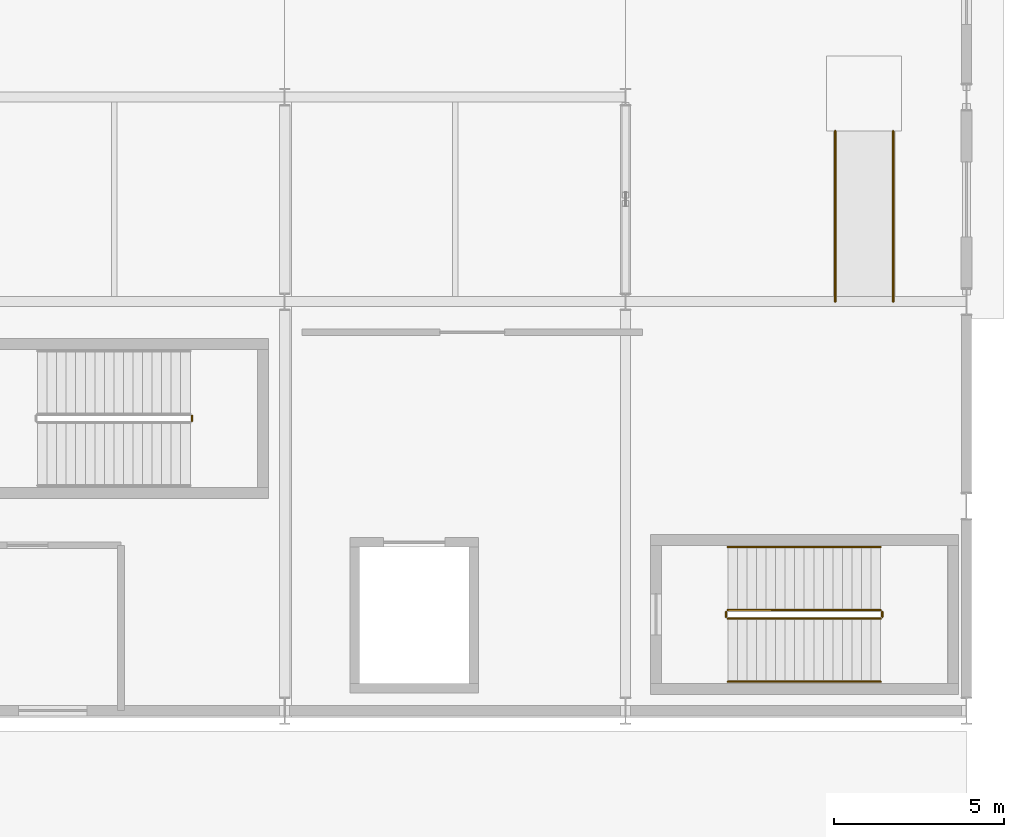
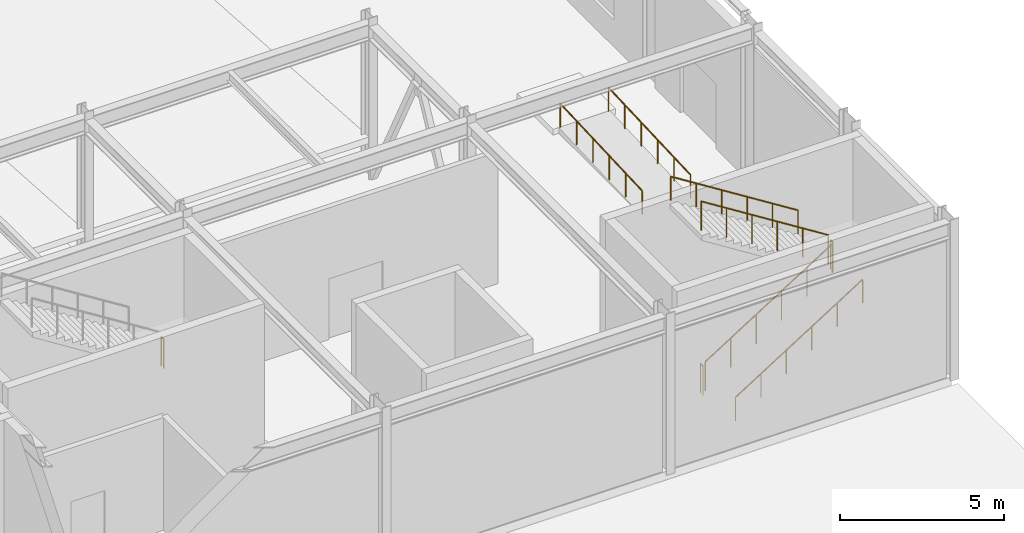
# One storey, part 144 of 146: 9 railings.
"""IFC4 building model written with IfcOpenShell, lengths in metres."""

from ifc_helpers import new_model, si_unit, direction, frame, origin, origin_2d, place, context, subcontext, project, spatial, circle, extrude, material, type_object, element, save


model = new_model("IFC4")

# Units and contexts
model_context = context("Model", 3, precision=1e-05, world=origin(), true_north=direction((0.0, 1.0)))
body_context = subcontext(model_context, "Body", "Model", "MODEL_VIEW")
ifc_project = project(units=[si_unit("LENGTHUNIT", "METRE"), si_unit("AREAUNIT", "SQUARE_METRE"), si_unit("VOLUMEUNIT", "CUBIC_METRE"), si_unit("PLANEANGLEUNIT", "RADIAN"), si_unit("MASSUNIT", "GRAM", prefix="KILO")], contexts=[model_context])

# Site, building, storey
site_placement = place(None, origin())
site = spatial("IfcSite", under=ifc_project, at=site_placement, CompositionType="ELEMENT")
building_placement = place(site_placement, origin())
building = spatial("IfcBuilding", under=site, at=building_placement, Name="Kaldris Quays Convention Centre", CompositionType="ELEMENT")
storey_placement = place(building_placement, origin())
storey = spatial("IfcBuildingStorey", under=building, at=storey_placement, Name="L00", CompositionType="ELEMENT", Elevation=0.0)

# Railings
ifc_material_1 = material(Name="Steel S355J2", Category="steel")
railing_type_1 = type_object("IfcRailingType", Name="INTERIOR GUARDRAIL GR01", PredefinedType="GUARDRAIL", material=ifc_material_1)
railing_1_placement = place(storey_placement, frame((197.0, 58.699951171875, 0.176513671875)))
element("IfcRailing", 1, at=railing_1_placement, inside=storey, type_object=railing_type_1, Name="L00 ST09 Stair Guardrail 1", PredefinedType="GUARDRAIL", context=body_context, shape_type="SweptSolid", body=[
    extrude(circle(Radius=0.02392578125, at=origin_2d()), frame((0.0, 0.0, 1.076171875), z_axis=(0.845997938375, 0.0, 0.533186166611), x_axis=(0.0, 1.0, 0.0)), (0.0, 0.0, 1.0), 5.29541015625),
    extrude(circle(Radius=0.02099609375, at=origin_2d()), origin(), (0.0, 0.0, 1.0), 1.052001953125),
    extrude(circle(Radius=0.02099609375, at=origin_2d()), frame((0.89599609375, 0.0, 0.564697265625)), (0.0, 0.0, 1.0), 1.052001953125),
    extrude(circle(Radius=0.02099609375, at=origin_2d()), frame((1.7919921875, 0.0, 1.12939453125)), (0.0, 0.0, 1.0), 1.052001953125),
    extrude(circle(Radius=0.02099609375, at=origin_2d()), frame((2.68798828125, 0.0, 1.694091796875)), (0.0, 0.0, 1.0), 1.052001953125),
    extrude(circle(Radius=0.02099609375, at=origin_2d()), frame((3.583984375, 0.0, 2.2587890625)), (0.0, 0.0, 1.0), 1.052001953125),
    extrude(circle(Radius=0.02099609375, at=origin_2d()), frame((4.47998046875, 0.0, 2.823486328125)), (0.0, 0.0, 1.0), 1.052001953125),
])
railing_2_placement = place(storey_placement, frame((201.530029296875, 58.75, 3.0)))
element("IfcRailing", 2, at=railing_2_placement, inside=storey, type_object=railing_type_1, Name="L00 ST09 Stair Guardrail 2", PredefinedType="GUARDRAIL", context=body_context, shape_type="SweptSolid", body=[
    extrude(circle(Radius=0.02392578125, at=origin_2d()), frame((0.0, 0.0, 1.076171875), z_axis=(0.0, 1.0, 0.0), x_axis=(-1.0, 0.0, 0.0)), (0.0, 0.0, 1.0), 0.14990234375),
    extrude(circle(Radius=0.02099609375, at=origin_2d()), origin(), (0.0, 0.0, 1.0), 1.052001953125),
    extrude(circle(Radius=0.02099609375, at=origin_2d()), frame((0.0, 0.14990234375, 0.0)), (0.0, 0.0, 1.0), 1.052001953125),
])
railing_3_placement = place(storey_placement, frame((201.47998046875, 58.949951171875, 3.176513671875)))
element("IfcRailing", 3, at=railing_3_placement, inside=storey, type_object=railing_type_1, Name="L00 ST09 Stair Guardrail 3", PredefinedType="GUARDRAIL", context=body_context, shape_type="SweptSolid", body=[
    extrude(circle(Radius=0.02392578125, at=origin_2d()), frame((0.0, 0.0, 1.076171875), z_axis=(-0.845997938375, 0.0, 0.533186166611), x_axis=(0.0, -1.0, 0.0)), (0.0, 0.0, 1.0), 5.29541015625),
    extrude(circle(Radius=0.02099609375, at=origin_2d()), origin(), (0.0, 0.0, 1.0), 1.052001953125),
    extrude(circle(Radius=0.02099609375, at=origin_2d()), frame((-0.89599609375, 0.0, 0.564697265625)), (0.0, 0.0, 1.0), 1.052001953125),
    extrude(circle(Radius=0.02099609375, at=origin_2d()), frame((-1.7919921875, 0.0, 1.12939453125)), (0.0, 0.0, 1.0), 1.052001953125),
    extrude(circle(Radius=0.02099609375, at=origin_2d()), frame((-2.68798828125, 0.0, 1.694091796875)), (0.0, 0.0, 1.0), 1.052001953125),
    extrude(circle(Radius=0.02099609375, at=origin_2d()), frame((-3.583984375, 0.0, 2.2587890625)), (0.0, 0.0, 1.0), 1.052001953125),
    extrude(circle(Radius=0.02099609375, at=origin_2d()), frame((-4.47998046875, 0.0, 2.823486328125)), (0.0, 0.0, 1.0), 1.052001953125),
])
for number, where, name in (
    (4, (196.949951171875, 58.75, 0.0), "L00 ST09 Stair Guardrail 4"),
    (5, (181.280029296875, 64.5, 3.0), "L00 ST10 Stair Guardrail 2"),
):
    element("IfcRailing", number, at=place(storey_placement, frame(where)), inside=storey, type_object=railing_type_1, Name=name, PredefinedType="GUARDRAIL", context=body_context, shape_type="SweptSolid", body=[
        extrude(circle(Radius=0.02392578125, at=origin_2d()), frame((0.0, 0.0, 1.076171875), z_axis=(0.0, 1.0, 0.0), x_axis=(-1.0, 0.0, 0.0)), (0.0, 0.0, 1.0), 0.14990234375),
        extrude(circle(Radius=0.02099609375, at=origin_2d()), origin(), (0.0, 0.0, 1.0), 1.052001953125),
        extrude(circle(Radius=0.02099609375, at=origin_2d()), frame((0.0, 0.14990234375, 0.0)), (0.0, 0.0, 1.0), 1.052001953125),
    ])
ifc_material_2 = material(Name="Stainless steel 1.4301", Category="steel")
railing_type_2 = type_object("IfcRailingType", Name="STAIR HANDRAIL HR01", PredefinedType="HANDRAIL", material=ifc_material_2)
railing_4_placement = place(storey_placement, frame((197.0, 56.85009765625, 0.176513671875)))
element("IfcRailing", 6, at=railing_4_placement, inside=storey, type_object=railing_type_2, Name="L00 ST09 Flight Handrail 1", PredefinedType="HANDRAIL", context=body_context, shape_type="SweptSolid", body=[
    extrude(circle(Radius=0.02392578125, at=origin_2d()), frame((0.0, 0.0, 0.8759765625), z_axis=(0.845997938375, 0.0, 0.533186166611), x_axis=(0.0, 1.0, 0.0)), (0.0, 0.0, 1.0), 5.29541015625),
    extrude(circle(Radius=0.02099609375, at=origin_2d()), origin(), (0.0, 0.0, 1.0), 0.851806640625),
    extrude(circle(Radius=0.02099609375, at=origin_2d()), frame((0.89599609375, 0.0, 0.564697265625)), (0.0, 0.0, 1.0), 0.851806640625),
    extrude(circle(Radius=0.02099609375, at=origin_2d()), frame((1.7919921875, 0.0, 1.12939453125)), (0.0, 0.0, 1.0), 0.851806640625),
    extrude(circle(Radius=0.02099609375, at=origin_2d()), frame((2.68798828125, 0.0, 1.694091796875)), (0.0, 0.0, 1.0), 0.851806640625),
    extrude(circle(Radius=0.02099609375, at=origin_2d()), frame((3.583984375, 0.0, 2.2587890625)), (0.0, 0.0, 1.0), 0.851806640625),
    extrude(circle(Radius=0.02099609375, at=origin_2d()), frame((4.47998046875, 0.0, 2.823486328125)), (0.0, 0.0, 1.0), 0.851806640625),
])
railing_5_placement = place(storey_placement, frame((201.47998046875, 60.800048828125, 3.176513671875)))
element("IfcRailing", 7, at=railing_5_placement, inside=storey, type_object=railing_type_2, Name="L00 ST09 Flight Handrail 2", PredefinedType="HANDRAIL", context=body_context, shape_type="SweptSolid", body=[
    extrude(circle(Radius=0.02392578125, at=origin_2d()), frame((0.0, 0.0, 0.8759765625), z_axis=(-0.845997938375, 0.0, 0.533186166611), x_axis=(0.0, -1.0, 0.0)), (0.0, 0.0, 1.0), 5.29541015625),
    extrude(circle(Radius=0.02099609375, at=origin_2d()), origin(), (0.0, 0.0, 1.0), 0.851806640625),
    extrude(circle(Radius=0.02099609375, at=origin_2d()), frame((-0.89599609375, 0.0, 0.564697265625)), (0.0, 0.0, 1.0), 0.851806640625),
    extrude(circle(Radius=0.02099609375, at=origin_2d()), frame((-1.7919921875, 0.0, 1.12939453125)), (0.0, 0.0, 1.0), 0.851806640625),
    extrude(circle(Radius=0.02099609375, at=origin_2d()), frame((-2.68798828125, 0.0, 1.694091796875)), (0.0, 0.0, 1.0), 0.851806640625),
    extrude(circle(Radius=0.02099609375, at=origin_2d()), frame((-3.583984375, 0.0, 2.2587890625)), (0.0, 0.0, 1.0), 0.851806640625),
    extrude(circle(Radius=0.02099609375, at=origin_2d()), frame((-4.47998046875, 0.0, 2.823486328125)), (0.0, 0.0, 1.0), 0.851806640625),
])
for number, where, name in (
    (8, (200.14990234375, 68.0, 0.0), "PRMP-4 Accessible Ramp Handrail L"),
    (9, (201.85009765625, 68.0, 0.0), "PRMP-4 Accessible Ramp Handrail R"),
):
    element("IfcRailing", number, at=place(storey_placement, frame(where)), inside=storey, type_object=railing_type_2, Name=name, PredefinedType="HANDRAIL", context=body_context, shape_type="SweptSolid", body=[
        extrude(circle(Radius=0.02392578125, at=origin_2d()), frame((0.0, 0.0, 0.8759765625), z_axis=(0.0, 0.999050720124, 0.043562123685), x_axis=(-1.0, 0.0, 0.0)), (0.0, 0.0, 1.0), 5.004638671875),
        extrude(circle(Radius=0.02099609375, at=origin_2d()), origin(), (0.0, 0.0, 1.0), 0.851806640625),
        extrude(circle(Radius=0.02099609375, at=origin_2d()), frame((0.0, 1.0, 0.043701171875)), (0.0, 0.0, 1.0), 0.851806640625),
        extrude(circle(Radius=0.02099609375, at=origin_2d()), frame((0.0, 2.0, 0.087158203125)), (0.0, 0.0, 1.0), 0.851806640625),
        extrude(circle(Radius=0.02099609375, at=origin_2d()), frame((0.0, 3.0, 0.130859375)), (0.0, 0.0, 1.0), 0.851806640625),
        extrude(circle(Radius=0.02099609375, at=origin_2d()), frame((0.0, 4.0, 0.17431640625)), (0.0, 0.0, 1.0), 0.851806640625),
        extrude(circle(Radius=0.02099609375, at=origin_2d()), frame((0.0, 5.0, 0.218017578125)), (0.0, 0.0, 1.0), 0.851806640625),
    ])

save(model, "model.ifc")
